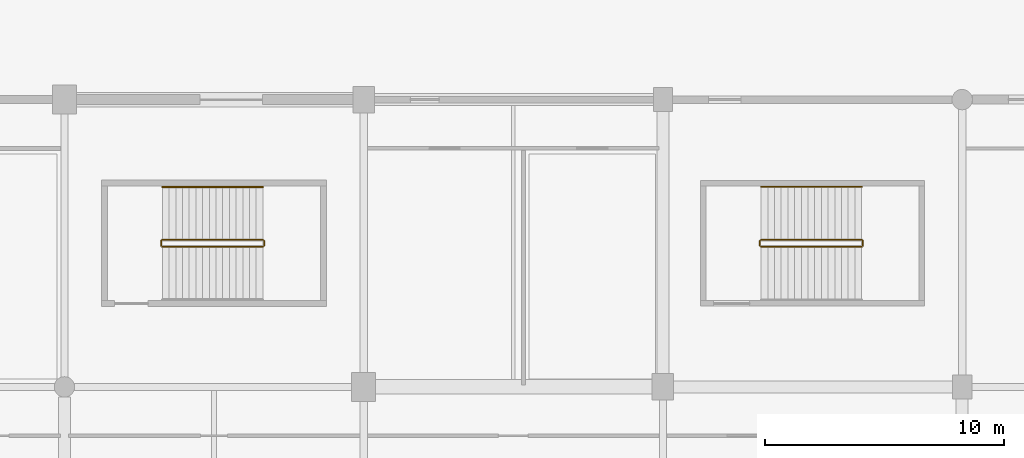
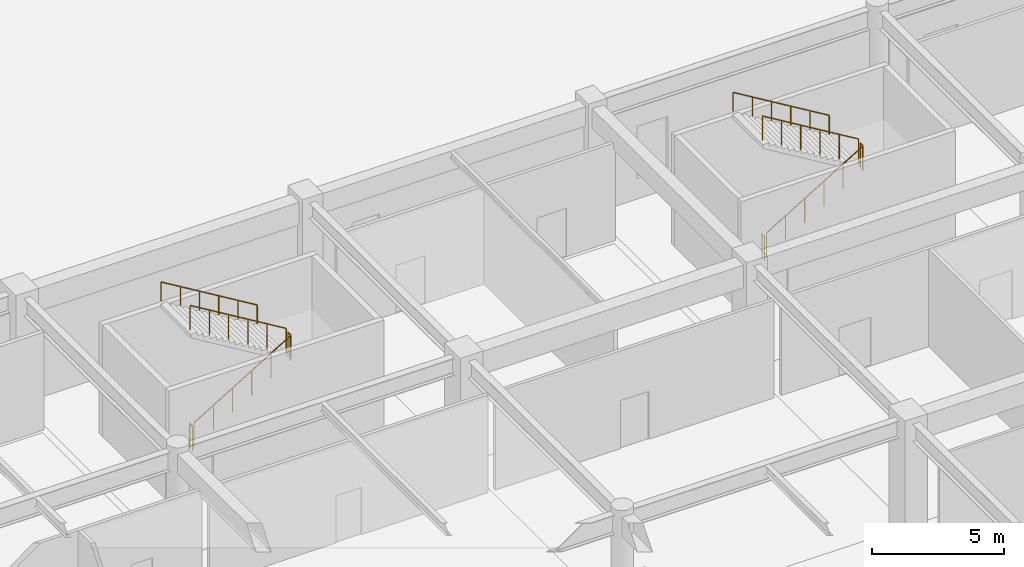
# One storey, part 44 of 69: 10 railings.
"""IFC4 building model written with IfcOpenShell, lengths in metres."""

from ifc_helpers import new_model, si_unit, direction, frame, origin, origin_2d, place, context, subcontext, project, spatial, circle, extrude, material, layer, layer_set, type_object, element, save


model = new_model("IFC4")

# Units and contexts
model_context = context("Model", 3, precision=1e-05, world=origin(), true_north=direction((0.0, 1.0)))
body_context = subcontext(model_context, "Body", "Model", "MODEL_VIEW")
ifc_project = project(units=[si_unit("LENGTHUNIT", "METRE"), si_unit("AREAUNIT", "SQUARE_METRE"), si_unit("VOLUMEUNIT", "CUBIC_METRE"), si_unit("PLANEANGLEUNIT", "RADIAN"), si_unit("MASSUNIT", "GRAM", prefix="KILO")], contexts=[model_context])

# Site, building, storey
site_placement = place(None, origin())
site = spatial("IfcSite", under=ifc_project, at=site_placement, CompositionType="ELEMENT")
building_placement = place(site_placement, origin())
building = spatial("IfcBuilding", under=site, at=building_placement, Name="Kazenohara Klinker Stadium", CompositionType="ELEMENT")
storey_placement = place(building_placement, origin())
storey = spatial("IfcBuildingStorey", under=building, at=storey_placement, Name="L00", CompositionType="ELEMENT", Elevation=0.0)

# Railings
ifc_material_1 = material(Name="Brushed stainless steel 304 handrail", Category="steel")
ifc_layer_1 = layer(ifc_material_1, 0.050048828125)
ifc_layer_set_1 = layer_set([ifc_layer_1], Name="Brushed stainless steel 304 handrail")
railing_type_1 = type_object("IfcRailingType", Name="RL-HND-900", PredefinedType="HANDRAIL", material=ifc_layer_set_1)
for number, where, name in (
    (1, (69.7900390625, 32.35009765625, 2.86865234375), "L00 ST25 stair handrail 2"),
    (2, (94.800048828125, 32.360107421875, 2.86865234375), "L00 ST26 stair handrail 2"),
):
    element("IfcRailing", number, at=place(storey_placement, frame(where)), inside=storey, type_object=railing_type_1, Name=name, PredefinedType="HANDRAIL", context=body_context, shape_type="SweptSolid", body=[
        extrude(circle(Radius=0.02392578125, at=origin_2d()), frame((0.0, 0.0, 0.8759765625), z_axis=(-0.856476492594, 0.0, 0.516186030065), x_axis=(0.0, -1.0, 0.0)), (0.0, 0.0, 1.0), 4.90380859375),
        extrude(circle(Radius=0.02099609375, at=origin_2d()), origin(), (0.0, 0.0, 1.0), 0.851806640625),
        extrude(circle(Radius=0.02099609375, at=origin_2d()), frame((-0.840087890625, 0.0, 0.50634765625)), (0.0, 0.0, 1.0), 0.851806640625),
        extrude(circle(Radius=0.02099609375, at=origin_2d()), frame((-1.679931640625, 0.0, 1.012451171875)), (0.0, 0.0, 1.0), 0.851806640625),
        extrude(circle(Radius=0.02099609375, at=origin_2d()), frame((-2.52001953125, 0.0, 1.518798828125)), (0.0, 0.0, 1.0), 0.851806640625),
        extrude(circle(Radius=0.02099609375, at=origin_2d()), frame((-3.35986328125, 0.0, 2.02490234375)), (0.0, 0.0, 1.0), 0.851806640625),
        extrude(circle(Radius=0.02099609375, at=origin_2d()), frame((-4.199951171875, 0.0, 2.53125)), (0.0, 0.0, 1.0), 0.851806640625),
    ])
ifc_material_2 = material(Name="Painted steel stairwell guardrail", Category="steel")
ifc_layer_2 = layer(ifc_material_2, 0.06005859375)
ifc_layer_set_2 = layer_set([ifc_layer_2], Name="Painted steel stairwell guardrail")
railing_type_2 = type_object("IfcRailingType", Name="RL-STG-1120", PredefinedType="GUARDRAIL", material=ifc_layer_set_2)
railing_1_placement = place(storey_placement, frame((65.590087890625, 29.85009765625, 0.168701171875)))
element("IfcRailing", 3, at=railing_1_placement, inside=storey, type_object=railing_type_2, Name="L00 ST25 stair guard 1", PredefinedType="GUARDRAIL", context=body_context, shape_type="SweptSolid", body=[
    extrude(circle(Radius=0.02392578125, at=origin_2d()), frame((0.0, 0.0, 1.1259765625), z_axis=(0.856476492594, 0.0, 0.516186030065), x_axis=(0.0, 1.0, 0.0)), (0.0, 0.0, 1.0), 4.90380859375),
    extrude(circle(Radius=0.02099609375, at=origin_2d()), origin(), (0.0, 0.0, 1.0), 1.101806640625),
    extrude(circle(Radius=0.02099609375, at=origin_2d()), frame((0.840087890625, 0.0, 0.50634765625)), (0.0, 0.0, 1.0), 1.101806640625),
    extrude(circle(Radius=0.02099609375, at=origin_2d()), frame((1.679931640625, 0.0, 1.012451171875)), (0.0, 0.0, 1.0), 1.101806640625),
    extrude(circle(Radius=0.02099609375, at=origin_2d()), frame((2.52001953125, 0.0, 1.518798828125)), (0.0, 0.0, 1.0), 1.101806640625),
    extrude(circle(Radius=0.02099609375, at=origin_2d()), frame((3.35986328125, 0.0, 2.02490234375)), (0.0, 0.0, 1.0), 1.101806640625),
    extrude(circle(Radius=0.02099609375, at=origin_2d()), frame((4.199951171875, 0.0, 2.53125)), (0.0, 0.0, 1.0), 1.101806640625),
])
railing_2_placement = place(storey_placement, frame((69.840087890625, 29.89990234375, 2.699951171875)))
element("IfcRailing", 4, at=railing_2_placement, inside=storey, type_object=railing_type_2, Name="L00 ST25 stair guard 2", PredefinedType="GUARDRAIL", context=body_context, shape_type="SweptSolid", body=[
    extrude(circle(Radius=0.02392578125, at=origin_2d()), frame((0.0, 0.0, 1.1259765625), z_axis=(0.0, 1.0, 0.0), x_axis=(-1.0, 0.0, 0.0)), (0.0, 0.0, 1.0), 0.2001953125),
    extrude(circle(Radius=0.02099609375, at=origin_2d()), origin(), (0.0, 0.0, 1.0), 1.101806640625),
    extrude(circle(Radius=0.02099609375, at=origin_2d()), frame((0.0, 0.2001953125, 0.0)), (0.0, 0.0, 1.0), 1.101806640625),
])
railing_3_placement = place(storey_placement, frame((69.7900390625, 30.14990234375, 2.86865234375)))
element("IfcRailing", 5, at=railing_3_placement, inside=storey, type_object=railing_type_2, Name="L00 ST25 stair guard 3", PredefinedType="GUARDRAIL", context=body_context, shape_type="SweptSolid", body=[
    extrude(circle(Radius=0.02392578125, at=origin_2d()), frame((0.0, 0.0, 1.1259765625), z_axis=(-0.856476492594, 0.0, 0.516186030065), x_axis=(0.0, -1.0, 0.0)), (0.0, 0.0, 1.0), 4.90380859375),
    extrude(circle(Radius=0.02099609375, at=origin_2d()), origin(), (0.0, 0.0, 1.0), 1.101806640625),
    extrude(circle(Radius=0.02099609375, at=origin_2d()), frame((-0.840087890625, 0.0, 0.50634765625)), (0.0, 0.0, 1.0), 1.101806640625),
    extrude(circle(Radius=0.02099609375, at=origin_2d()), frame((-1.679931640625, 0.0, 1.012451171875)), (0.0, 0.0, 1.0), 1.101806640625),
    extrude(circle(Radius=0.02099609375, at=origin_2d()), frame((-2.52001953125, 0.0, 1.518798828125)), (0.0, 0.0, 1.0), 1.101806640625),
    extrude(circle(Radius=0.02099609375, at=origin_2d()), frame((-3.35986328125, 0.0, 2.02490234375)), (0.0, 0.0, 1.0), 1.101806640625),
    extrude(circle(Radius=0.02099609375, at=origin_2d()), frame((-4.199951171875, 0.0, 2.53125)), (0.0, 0.0, 1.0), 1.101806640625),
])
railing_4_placement = place(storey_placement, frame((65.5400390625, 29.89990234375, 0.0)))
element("IfcRailing", 6, at=railing_4_placement, inside=storey, type_object=railing_type_2, Name="L00 ST25 stair guard 4", PredefinedType="GUARDRAIL", context=body_context, shape_type="SweptSolid", body=[
    extrude(circle(Radius=0.02392578125, at=origin_2d()), frame((0.0, 0.0, 1.1259765625), z_axis=(0.0, 1.0, 0.0), x_axis=(-1.0, 0.0, 0.0)), (0.0, 0.0, 1.0), 0.2001953125),
    extrude(circle(Radius=0.02099609375, at=origin_2d()), origin(), (0.0, 0.0, 1.0), 1.101806640625),
    extrude(circle(Radius=0.02099609375, at=origin_2d()), frame((0.0, 0.2001953125, 0.0)), (0.0, 0.0, 1.0), 1.101806640625),
])
railing_5_placement = place(storey_placement, frame((90.60009765625, 29.85009765625, 0.168701171875)))
element("IfcRailing", 7, at=railing_5_placement, inside=storey, type_object=railing_type_2, Name="L00 ST26 stair guard 1", PredefinedType="GUARDRAIL", context=body_context, shape_type="SweptSolid", body=[
    extrude(circle(Radius=0.02392578125, at=origin_2d()), frame((0.0, 0.0, 1.1259765625), z_axis=(0.856476492594, 0.0, 0.516186030065), x_axis=(0.0, 1.0, 0.0)), (0.0, 0.0, 1.0), 4.90380859375),
    extrude(circle(Radius=0.02099609375, at=origin_2d()), origin(), (0.0, 0.0, 1.0), 1.101806640625),
    extrude(circle(Radius=0.02099609375, at=origin_2d()), frame((0.840087890625, 0.0, 0.50634765625)), (0.0, 0.0, 1.0), 1.101806640625),
    extrude(circle(Radius=0.02099609375, at=origin_2d()), frame((1.679931640625, 0.0, 1.012451171875)), (0.0, 0.0, 1.0), 1.101806640625),
    extrude(circle(Radius=0.02099609375, at=origin_2d()), frame((2.52001953125, 0.0, 1.518798828125)), (0.0, 0.0, 1.0), 1.101806640625),
    extrude(circle(Radius=0.02099609375, at=origin_2d()), frame((3.35986328125, 0.0, 2.02490234375)), (0.0, 0.0, 1.0), 1.101806640625),
    extrude(circle(Radius=0.02099609375, at=origin_2d()), frame((4.199951171875, 0.0, 2.53125)), (0.0, 0.0, 1.0), 1.101806640625),
])
railing_6_placement = place(storey_placement, frame((94.85009765625, 29.89990234375, 2.699951171875)))
element("IfcRailing", 8, at=railing_6_placement, inside=storey, type_object=railing_type_2, Name="L00 ST26 stair guard 2", PredefinedType="GUARDRAIL", context=body_context, shape_type="SweptSolid", body=[
    extrude(circle(Radius=0.02392578125, at=origin_2d()), frame((0.0, 0.0, 1.1259765625), z_axis=(0.0, 1.0, 0.0), x_axis=(-1.0, 0.0, 0.0)), (0.0, 0.0, 1.0), 0.2001953125),
    extrude(circle(Radius=0.02099609375, at=origin_2d()), origin(), (0.0, 0.0, 1.0), 1.101806640625),
    extrude(circle(Radius=0.02099609375, at=origin_2d()), frame((0.0, 0.2001953125, 0.0)), (0.0, 0.0, 1.0), 1.101806640625),
])
railing_7_placement = place(storey_placement, frame((94.800048828125, 30.14990234375, 2.86865234375)))
element("IfcRailing", 9, at=railing_7_placement, inside=storey, type_object=railing_type_2, Name="L00 ST26 stair guard 3", PredefinedType="GUARDRAIL", context=body_context, shape_type="SweptSolid", body=[
    extrude(circle(Radius=0.02392578125, at=origin_2d()), frame((0.0, 0.0, 1.1259765625), z_axis=(-0.856476492594, 0.0, 0.516186030065), x_axis=(0.0, -1.0, 0.0)), (0.0, 0.0, 1.0), 4.90380859375),
    extrude(circle(Radius=0.02099609375, at=origin_2d()), origin(), (0.0, 0.0, 1.0), 1.101806640625),
    extrude(circle(Radius=0.02099609375, at=origin_2d()), frame((-0.840087890625, 0.0, 0.50634765625)), (0.0, 0.0, 1.0), 1.101806640625),
    extrude(circle(Radius=0.02099609375, at=origin_2d()), frame((-1.679931640625, 0.0, 1.012451171875)), (0.0, 0.0, 1.0), 1.101806640625),
    extrude(circle(Radius=0.02099609375, at=origin_2d()), frame((-2.52001953125, 0.0, 1.518798828125)), (0.0, 0.0, 1.0), 1.101806640625),
    extrude(circle(Radius=0.02099609375, at=origin_2d()), frame((-3.35986328125, 0.0, 2.02490234375)), (0.0, 0.0, 1.0), 1.101806640625),
    extrude(circle(Radius=0.02099609375, at=origin_2d()), frame((-4.199951171875, 0.0, 2.53125)), (0.0, 0.0, 1.0), 1.101806640625),
])
railing_8_placement = place(storey_placement, frame((90.550048828125, 29.89990234375, 0.0)))
element("IfcRailing", 10, at=railing_8_placement, inside=storey, type_object=railing_type_2, Name="L00 ST26 stair guard 4", PredefinedType="GUARDRAIL", context=body_context, shape_type="SweptSolid", body=[
    extrude(circle(Radius=0.02392578125, at=origin_2d()), frame((0.0, 0.0, 1.1259765625), z_axis=(0.0, 1.0, 0.0), x_axis=(-1.0, 0.0, 0.0)), (0.0, 0.0, 1.0), 0.2001953125),
    extrude(circle(Radius=0.02099609375, at=origin_2d()), origin(), (0.0, 0.0, 1.0), 1.101806640625),
    extrude(circle(Radius=0.02099609375, at=origin_2d()), frame((0.0, 0.2001953125, 0.0)), (0.0, 0.0, 1.0), 1.101806640625),
])

save(model, "model.ifc")
